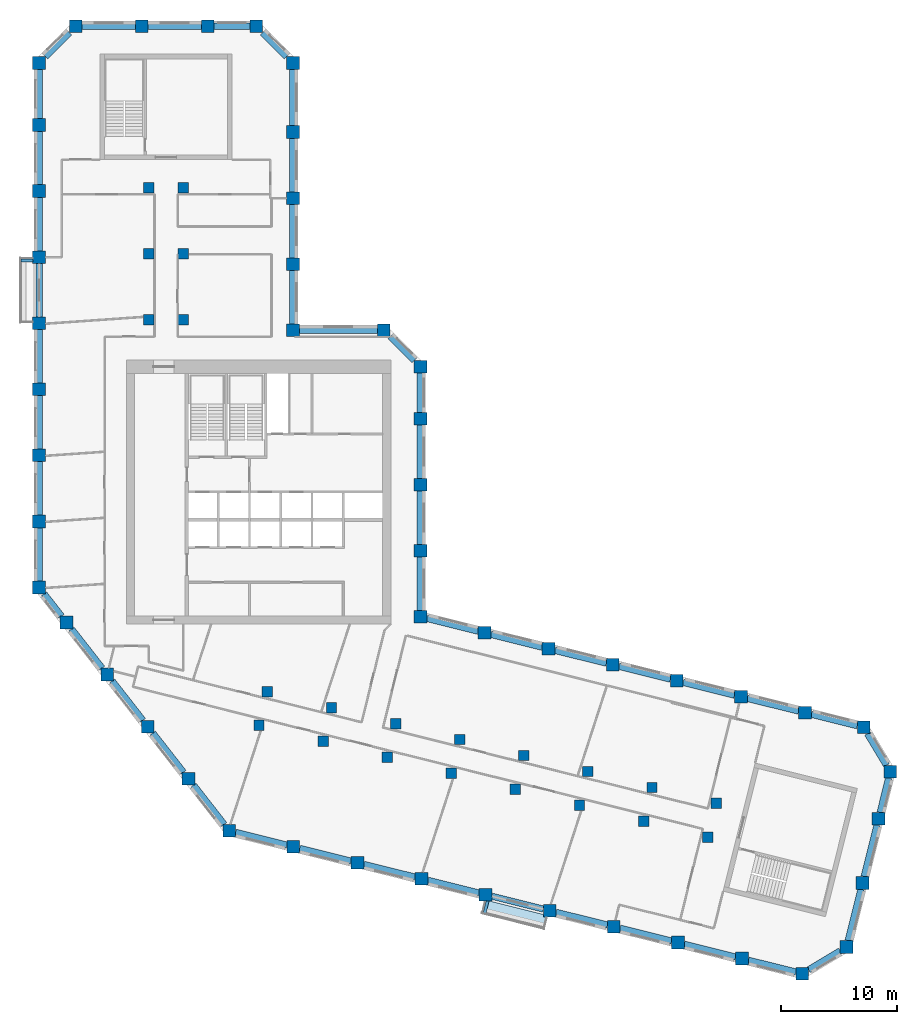
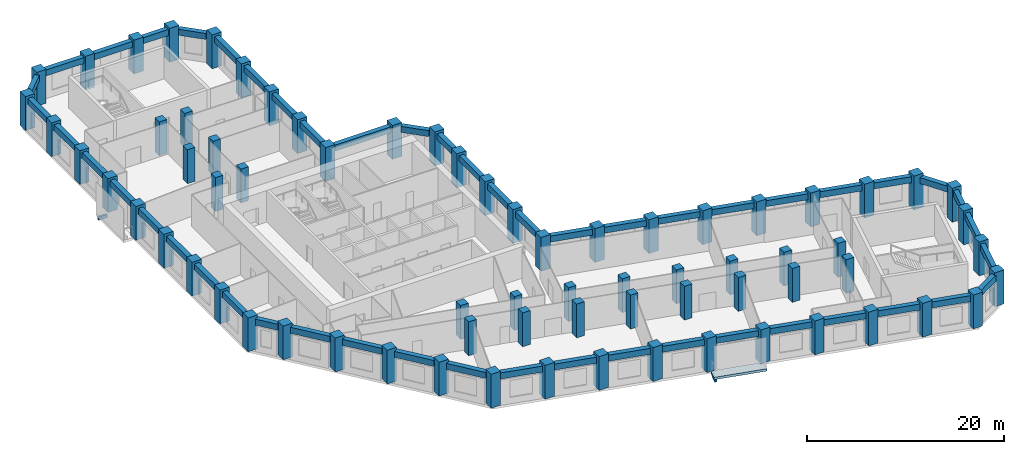
# One storey, part 1 of 10: 71 columns, 51 beams, 1 slab.
"""IFC4 building model written with IfcOpenShell, lengths in metres."""

from ifc_helpers import new_model, si_unit, direction, frame, origin, origin_2d, place, context, subcontext, project, spatial, polyline, rectangle, outline, extrude, material, layer, layer_set, material_profile, profile_set, type_object, element, save


model = new_model("IFC4")

# Units and contexts
model_context = context("Model", 3, precision=1e-05, world=origin(), true_north=direction((0.0, 1.0)))
body_context = subcontext(model_context, "Body", "Model", "MODEL_VIEW")
ifc_project = project(units=[si_unit("LENGTHUNIT", "METRE"), si_unit("AREAUNIT", "SQUARE_METRE"), si_unit("VOLUMEUNIT", "CUBIC_METRE"), si_unit("PLANEANGLEUNIT", "RADIAN"), si_unit("MASSUNIT", "GRAM", prefix="KILO")], contexts=[model_context])

# Site, building, storey
site_placement = place(None, origin())
site = spatial("IfcSite", under=ifc_project, at=site_placement, CompositionType="ELEMENT")
building_placement = place(site_placement, origin())
building = spatial("IfcBuilding", under=site, at=building_placement, Name="Meshkara Civic Tower", CompositionType="ELEMENT")
storey_placement = place(building_placement, frame((0.0, 0.0, 238.199951171875)))
storey = spatial("IfcBuildingStorey", under=building, at=storey_placement, Name="L54", CompositionType="ELEMENT", Elevation=238.199951171875)

# Columns
ifc_material_1 = material(Name="Concrete C60", Category="concrete")
ifc_material_profile_1 = material_profile(ifc_material_1, rectangle(XDim=0.89990234375, YDim=0.89990234375, at=origin_2d()))
ifc_profile_set_1 = profile_set([ifc_material_profile_1], Name="Concrete C60")
column_type_1 = type_object("IfcColumnType", Name="Interior column RC 900x900 C60", PredefinedType="COLUMN", material=ifc_profile_set_1)
for number, where, z_axis, x_axis, name in (
    (1, (9.89990234375, 40.35009765625, 0.0), (0.0, 0.0, 1.0), (1.0, 0.0, 0.0), "Column SA1-04 L54"),
    (2, (9.89990234375, 46.050048828125, 0.0), (0.0, 0.0, 1.0), (1.0, 0.0, 0.0), "Column SA1-05 L54"),
    (3, (9.89990234375, 51.75, 0.0), (0.0, 0.0, 1.0), (1.0, 0.0, 0.0), "Column SA1-06 L54"),
    (4, (12.89990234375, 40.35009765625, 0.0), (0.0, 0.0, 1.0), (1.0, 0.0, 0.0), "Column SA2-04 L54"),
    (5, (12.89990234375, 46.050048828125, 0.0), (0.0, 0.0, 1.0), (1.0, 0.0, 0.0), "Column SA2-05 L54"),
    (6, (12.89990234375, 51.75, 0.0), (0.0, 0.0, 1.0), (1.0, 0.0, 0.0), "Column SA2-06 L54"),
    (7, (19.424072265625, 5.360107421875, 0.0), (0.0, 0.0, 1.0), (1.0, 0.0, 0.0), "Column SB1-00 L54"),
    (8, (24.9541015625, 3.98095703125, 0.0), (0.0, 0.0, 1.0), (1.0, 0.0, 0.0), "Column SB1-01 L54"),
    (9, (30.485107421875, 2.60205078125, 0.0), (0.0, 0.0, 1.0), (1.0, 0.0, 0.0), "Column SB1-02 L54"),
    (10, (36.01611328125, 1.222900390625, 0.0), (0.0, 0.0, 1.0), (1.0, 0.0, 0.0), "Column SB1-03 L54"),
    (11, (41.5458984375, -0.156005859375, 0.0), (0.0, 0.0, 1.0), (1.0, 0.0, 0.0), "Column SB1-04 L54"),
    (12, (47.076904296875, -1.534912109375, 0.0), (0.0, 0.0, 1.0), (1.0, 0.0, 0.0), "Column SB1-05 L54"),
    (13, (52.60791015625, -2.9140625, 0.0), (0.0, 0.0, 1.0), (1.0, 0.0, 0.0), "Column SB1-06 L54"),
    (14, (58.138916015625, -4.2919921875, 0.0), (0.0, 0.0, 1.0), (1.0, 0.0, 0.0), "Column SB1-07 L54"),
    (15, (20.14892578125, 8.27099609375, 0.0), (0.0, 0.0, 1.0), (1.0, 0.0, 0.0), "Column SB2-00 L54"),
    (16, (25.679931640625, 6.89208984375, 0.0), (0.0, 0.0, 1.0), (1.0, 0.0, 0.0), "Column SB2-01 L54"),
    (17, (31.2109375, 5.512939453125, 0.0), (0.0, 0.0, 1.0), (1.0, 0.0, 0.0), "Column SB2-02 L54"),
    (18, (36.741943359375, 4.134033203125, 0.0), (0.0, 0.0, 1.0), (1.0, 0.0, 0.0), "Column SB2-03 L54"),
    (19, (42.27197265625, 2.7548828125, 0.0), (0.0, 0.0, 1.0), (1.0, 0.0, 0.0), "Column SB2-04 L54"),
    (20, (47.802978515625, 1.3759765625, 0.0), (0.0, 0.0, 1.0), (1.0, 0.0, 0.0), "Column SB2-05 L54"),
    (21, (53.333984375, -0.0029296875, 0.0), (0.0, 0.0, 1.0), (1.0, 0.0, 0.0), "Column SB2-06 L54"),
    (22, (58.864013671875, -1.382080078125, 0.0), (0.0, 0.0, 1.0), (1.0, 0.0, 0.0), "Column SB2-07 L54"),
):
    element("IfcColumn", number, at=place(storey_placement, frame(where, z_axis=z_axis, x_axis=x_axis)), inside=storey, type_object=column_type_1, Name=name, PredefinedType="COLUMN", context=body_context, shape_type="SweptSolid", body=[
        extrude(rectangle(XDim=0.89990234375, YDim=0.89990234375, at=origin_2d()), origin(), (0.0, 0.0, 1.0), 4.199951171875),
    ])
ifc_material_2 = material(Name="Concrete C60", Category="concrete")
ifc_material_profile_2 = material_profile(ifc_material_2, rectangle(XDim=1.10009765625, YDim=1.10009765625, at=origin_2d()))
ifc_profile_set_2 = profile_set([ifc_material_profile_2], Name="Concrete C60")
column_type_2 = type_object("IfcColumnType", Name="Perimeter column RC 1100x1100 C60", PredefinedType="COLUMN", material=ifc_profile_set_2)
for number, where, z_axis, x_axis, name in (
    (23, (33.35009765625, 14.718994140625, 0.0), (0.0, 0.0, 1.0), (1.0, 0.0, 0.0), "Column HE00 L54"),
    (24, (33.35009765625, 20.4189453125, 0.0), (0.0, 0.0, 1.0), (1.0, 0.0, 0.0), "Column HE01 L54"),
    (25, (33.35009765625, 26.118896484375, 0.0), (0.0, 0.0, 1.0), (1.0, 0.0, 0.0), "Column HE02 L54"),
    (26, (33.35009765625, 31.819091796875, 0.0), (0.0, 0.0, 1.0), (1.0, 0.0, 0.0), "Column HE03 L54"),
    (27, (33.35009765625, 36.2939453125, 0.0), (0.0, 0.0, 1.0), (1.0, 0.0, 0.0), "Column HEE L54"),
    (28, (30.194091796875, 39.449951171875, 0.0), (0.0, 0.0, 1.0), (1.0, 0.0, 0.0), "Column HCeE L54"),
    (29, (22.35009765625, 39.449951171875, 0.0), (0.0, 0.0, 1.0), (1.0, 0.0, 0.0), "Column HN00 L54"),
    (30, (22.35009765625, 45.14990234375, 0.0), (0.0, 0.0, 1.0), (1.0, 0.0, 0.0), "Column AE01 L54"),
    (31, (22.35009765625, 50.85009765625, 0.0), (0.0, 0.0, 1.0), (1.0, 0.0, 0.0), "Column AE02 L54"),
    (32, (22.35009765625, 56.550048828125, 0.0), (0.0, 0.0, 1.0), (1.0, 0.0, 0.0), "Column AE03 L54"),
    (33, (22.35009765625, 62.513916015625, 0.0), (0.0, 0.0, 1.0), (1.0, 0.0, 0.0), "Column AEEP3 L54"),
    (34, (19.194091796875, 65.669921875, 0.0), (0.0, 0.0, 1.0), (1.0, 0.0, 0.0), "Column ATiEP3 L54"),
    (35, (3.60595703125, 65.669921875, 0.0), (0.0, 0.0, 1.0), (1.0, 0.0, 0.0), "Column AT00-P3 L54"),
    (36, (9.305908203125, 65.669921875, 0.0), (0.0, 0.0, 1.0), (1.0, 0.0, 0.0), "Column AT01-P3 L54"),
    (37, (15.006103515625, 65.669921875, 0.0), (0.0, 0.0, 1.0), (1.0, 0.0, 0.0), "Column AT02-P3 L54"),
    (38, (0.449951171875, 62.513916015625, 0.0), (0.0, 0.0, 1.0), (1.0, 0.0, 0.0), "Column ATo00-P3 L54"),
    (39, (0.449951171875, 17.2548828125, 0.0), (0.0, 0.0, 1.0), (1.0, 0.0, 0.0), "Column AW00 L54"),
    (40, (0.449951171875, 22.955078125, 0.0), (0.0, 0.0, 1.0), (1.0, 0.0, 0.0), "Column AW01 L54"),
    (41, (0.449951171875, 28.655029296875, 0.0), (0.0, 0.0, 1.0), (1.0, 0.0, 0.0), "Column AW02 L54"),
    (42, (0.449951171875, 34.35498046875, 0.0), (0.0, 0.0, 1.0), (1.0, 0.0, 0.0), "Column AW03 L54"),
    (43, (0.449951171875, 40.054931640625, 0.0), (0.0, 0.0, 1.0), (1.0, 0.0, 0.0), "Column AW04 L54"),
    (44, (0.449951171875, 45.7548828125, 0.0), (0.0, 0.0, 1.0), (1.0, 0.0, 0.0), "Column AW05 L54"),
    (45, (0.449951171875, 51.455078125, 0.0), (0.0, 0.0, 1.0), (1.0, 0.0, 0.0), "Column AW06 L54"),
    (46, (0.449951171875, 57.155029296875, 0.0), (0.0, 0.0, 1.0), (1.0, 0.0, 0.0), "Column AW07 L54"),
    (47, (16.85107421875, -3.738037109375, 0.0), (0.0, 0.0, 1.0), (1.0, 0.0, 0.0), "Column BOW00 L54"),
    (48, (13.342041015625, 0.75390625, 0.0), (0.0, 0.0, 1.0), (1.0, 0.0, 0.0), "Column BOW01 L54"),
    (49, (9.8330078125, 5.2451171875, 0.0), (0.0, 0.0, 1.0), (1.0, 0.0, 0.0), "Column BOW02 L54"),
    (50, (6.322998046875, 9.737060546875, 0.0), (0.0, 0.0, 1.0), (1.0, 0.0, 0.0), "Column BOW03 L54"),
    (51, (2.81396484375, 14.22900390625, 0.0), (0.0, 0.0, 1.0), (1.0, 0.0, 0.0), "Column BOW04 L54"),
    (52, (22.382080078125, -5.116943359375, 0.0), (0.0, 0.0, 1.0), (1.0, 0.0, 0.0), "Column BS01 L54"),
    (53, (27.912109375, -6.49609375, 0.0), (0.0, 0.0, 1.0), (1.0, 0.0, 0.0), "Column BS02 L54"),
    (54, (33.443115234375, -7.875, 0.0), (0.0, 0.0, 1.0), (1.0, 0.0, 0.0), "Column BS03 L54"),
    (55, (38.97412109375, -9.2529296875, 0.0), (0.0, 0.0, 1.0), (1.0, 0.0, 0.0), "Column BS04-P1 L54"),
    (56, (44.5048828125, -10.632080078125, 0.0), (0.0, 0.0, 1.0), (1.0, 0.0, 0.0), "Column BS05 L54"),
    (57, (50.034912109375, -12.010986328125, 0.0), (0.0, 0.0, 1.0), (1.0, 0.0, 0.0), "Column BS06 L54"),
    (58, (55.56591796875, -13.389892578125, 0.0), (0.0, 0.0, 1.0), (1.0, 0.0, 0.0), "Column BS07 L54"),
    (59, (61.096923828125, -14.76904296875, 0.0), (0.0, 0.0, 1.0), (1.0, 0.0, 0.0), "Column BS08 L54"),
    (60, (66.2958984375, -16.06494140625, 0.0), (0.0, 0.0, 1.0), (1.0, 0.0, 0.0), "Column BSEP3 L54"),
    (61, (70.1220703125, -13.76611328125, 0.0), (0.0, 0.0, 1.0), (1.0, 0.0, 0.0), "Column BToEP3 L54"),
    (62, (71.5009765625, -8.235107421875, 0.0), (0.0, 0.0, 1.0), (1.0, 0.0, 0.0), "Column BT01-P3 L54"),
    (63, (72.8798828125, -2.705078125, 0.0), (0.0, 0.0, 1.0), (1.0, 0.0, 0.0), "Column BT02-P3 L54"),
    (64, (73.89306640625, 1.35791015625, 0.0), (0.0, 0.0, 1.0), (1.0, 0.0, 0.0), "Column BTEP3 L54"),
    (65, (71.593994140625, 5.18310546875, 0.0), (0.0, 0.0, 1.0), (1.0, 0.0, 0.0), "Column BTi00-P3 L54"),
    (66, (38.881103515625, 13.340087890625, 0.0), (0.0, 0.0, 1.0), (1.0, 0.0, 0.0), "Column BN01 L54"),
    (67, (44.410888671875, 11.9609375, 0.0), (0.0, 0.0, 1.0), (1.0, 0.0, 0.0), "Column BN02 L54"),
    (68, (49.94189453125, 10.58203125, 0.0), (0.0, 0.0, 1.0), (1.0, 0.0, 0.0), "Column BN03 L54"),
    (69, (55.472900390625, 9.202880859375, 0.0), (0.0, 0.0, 1.0), (1.0, 0.0, 0.0), "Column BN04 L54"),
    (70, (61.0029296875, 7.823974609375, 0.0), (0.0, 0.0, 1.0), (1.0, 0.0, 0.0), "Column BN05 L54"),
    (71, (66.533935546875, 6.445068359375, 0.0), (0.0, 0.0, 1.0), (1.0, 0.0, 0.0), "Column BN06 L54"),
):
    element("IfcColumn", number, at=place(storey_placement, frame(where, z_axis=z_axis, x_axis=x_axis)), inside=storey, type_object=column_type_2, Name=name, PredefinedType="COLUMN", context=body_context, shape_type="SweptSolid", body=[
        extrude(rectangle(XDim=1.10009765625, YDim=1.10009765625, at=origin_2d()), origin(), (0.0, 0.0, 1.0), 4.199951171875),
    ])

# Beams
ifc_material_3 = material(Name="Concrete C50", Category="concrete")
ifc_material_profile_3 = material_profile(ifc_material_3, rectangle(XDim=0.25, YDim=0.39990234375, at=origin_2d()))
ifc_profile_set_3 = profile_set([ifc_material_profile_3], Name="Concrete C50")
beam_type_1 = type_object("IfcBeamType", Name="Balcony bracket beam RC 250x400 C50", PredefinedType="BEAM", material=ifc_profile_set_3)
beam_1_placement = place(storey_placement, frame((-0.094970703125, 45.455078125, -0.5), z_axis=(-1.0, 0.0, 0.0), x_axis=(0.0, -1.0, 0.0)))
element("IfcBeam", 72, at=beam_1_placement, inside=storey, type_object=beam_type_1, Name="Balcony bracket beam", PredefinedType="BEAM", context=body_context, shape_type="SweptSolid", body=[
    extrude(rectangle(XDim=0.25, YDim=0.39990234375, at=origin_2d()), origin(), (0.0, 0.0, 1.0), 1.005126953125),
])
beam_2_placement = place(storey_placement, frame((39.14697265625, -9.798095703125, -0.5), z_axis=(-0.241725333206, -0.970344713639, 0.0), x_axis=(0.970344713639, -0.241725333206, 0.0)))
element("IfcBeam", 73, at=beam_2_placement, inside=storey, type_object=beam_type_1, Name="Balcony bracket beam", PredefinedType="BEAM", context=body_context, shape_type="SweptSolid", body=[
    extrude(rectangle(XDim=0.25, YDim=0.39990234375, at=origin_2d()), origin(), (0.0, 0.0, 1.0), 1.0634765625),
])
ifc_material_4 = material(Name="Concrete C60", Category="concrete")
ifc_material_profile_4 = material_profile(ifc_material_4, rectangle(XDim=0.550048828125, YDim=0.75, at=origin_2d()))
ifc_profile_set_4 = profile_set([ifc_material_profile_4], Name="Concrete C60")
beam_type_2 = type_object("IfcBeamType", Name="Spandrel beam RC 550x750 C60", PredefinedType="BEAM", material=ifc_profile_set_4)
beam_3_placement = place(storey_placement, frame((65.989013671875, 6.580810546875, 3.525146484375), z_axis=(-0.970299186733, 0.241908016044, 0.0), x_axis=(-0.241908016044, -0.970299186733, 0.0)))
element("IfcBeam", 74, at=beam_3_placement, inside=storey, type_object=beam_type_2, Name="Spandrel beam BN05-BN06", PredefinedType="BEAM", context=body_context, shape_type="SweptSolid", body=[
    extrude(rectangle(XDim=0.550048828125, YDim=0.75, at=origin_2d()), origin(), (0.0, 0.0, 1.0), 4.576904296875),
])
beam_4_placement = place(storey_placement, frame((60.4580078125, 7.9599609375, 3.525146484375), z_axis=(-0.970286696562, 0.241958108925, 0.0), x_axis=(-0.241958108925, -0.970286696562, 0.0)))
element("IfcBeam", 75, at=beam_4_placement, inside=storey, type_object=beam_type_2, Name="Spandrel beam BN04-BN05", PredefinedType="BEAM", context=body_context, shape_type="SweptSolid", body=[
    extrude(rectangle(XDim=0.550048828125, YDim=0.75, at=origin_2d()), origin(), (0.0, 0.0, 1.0), 4.575927734375),
])
for number, where, z_axis, x_axis, name in (
    (76, (54.927978515625, 9.3388671875, 3.525146484375), (-0.970299186733, 0.241908016044, 0.0), (-0.241908016044, -0.970299186733, 0.0), "Spandrel beam BN03-BN04"),
    (77, (49.39697265625, 10.718017578125, 3.525146484375), (-0.970299186733, 0.241908016044, 0.0), (-0.241908016044, -0.970299186733, 0.0), "Spandrel beam BN02-BN03"),
):
    element("IfcBeam", number, at=place(storey_placement, frame(where, z_axis=z_axis, x_axis=x_axis)), inside=storey, type_object=beam_type_2, Name=name, PredefinedType="BEAM", context=body_context, shape_type="SweptSolid", body=[
        extrude(rectangle(XDim=0.550048828125, YDim=0.75, at=origin_2d()), origin(), (0.0, 0.0, 1.0), 4.576904296875),
    ])
beam_5_placement = place(storey_placement, frame((43.865966796875, 12.096923828125, 3.525146484375), z_axis=(-0.970286696562, 0.241958108925, 0.0), x_axis=(-0.241958108925, -0.970286696562, 0.0)))
element("IfcBeam", 78, at=beam_5_placement, inside=storey, type_object=beam_type_2, Name="Spandrel beam BN01-BN02", PredefinedType="BEAM", context=body_context, shape_type="SweptSolid", body=[
    extrude(rectangle(XDim=0.550048828125, YDim=0.75, at=origin_2d()), origin(), (0.0, 0.0, 1.0), 4.575927734375),
])
beam_6_placement = place(storey_placement, frame((38.3359375, 13.475830078125, 3.525146484375), z_axis=(-0.970299186733, 0.241908016044, 0.0), x_axis=(-0.241908016044, -0.970299186733, 0.0)))
element("IfcBeam", 79, at=beam_6_placement, inside=storey, type_object=beam_type_2, Name="Spandrel beam BN01-HE00", PredefinedType="BEAM", context=body_context, shape_type="SweptSolid", body=[
    extrude(rectangle(XDim=0.550048828125, YDim=0.75, at=origin_2d()), origin(), (0.0, 0.0, 1.0), 4.576904296875),
])
beam_7_placement = place(storey_placement, frame((33.35009765625, 15.263916015625, 3.525146484375), z_axis=(0.0, 1.0, 0.0), x_axis=(-1.0, 0.0, 0.0)))
element("IfcBeam", 80, at=beam_7_placement, inside=storey, type_object=beam_type_2, Name="Spandrel beam HE00-HE01", PredefinedType="BEAM", context=body_context, shape_type="SweptSolid", body=[
    extrude(rectangle(XDim=0.550048828125, YDim=0.75, at=origin_2d()), origin(), (0.0, 0.0, 1.0), 4.610107421875),
])
for number, where, z_axis, x_axis, name in (
    (81, (33.35009765625, 20.964111328125, 3.525146484375), (0.0, 1.0, 0.0), (-1.0, 0.0, 0.0), "Spandrel beam HE01-HE02"),
    (82, (33.35009765625, 26.6640625, 3.525146484375), (0.0, 1.0, 0.0), (-1.0, 0.0, 0.0), "Spandrel beam HE02-HE03"),
):
    element("IfcBeam", number, at=place(storey_placement, frame(where, z_axis=z_axis, x_axis=x_axis)), inside=storey, type_object=beam_type_2, Name=name, PredefinedType="BEAM", context=body_context, shape_type="SweptSolid", body=[
        extrude(rectangle(XDim=0.550048828125, YDim=0.75, at=origin_2d()), origin(), (0.0, 0.0, 1.0), 4.60986328125),
    ])
beam_8_placement = place(storey_placement, frame((33.35009765625, 32.364013671875, 3.525146484375), z_axis=(0.0, 1.0, 0.0), x_axis=(-1.0, 0.0, 0.0)))
element("IfcBeam", 83, at=beam_8_placement, inside=storey, type_object=beam_type_2, Name="Spandrel beam HE03-HEE", PredefinedType="BEAM", context=body_context, shape_type="SweptSolid", body=[
    extrude(rectangle(XDim=0.550048828125, YDim=0.75, at=origin_2d()), origin(), (0.0, 0.0, 1.0), 3.385009765625),
])
beam_9_placement = place(storey_placement, frame((32.803466796875, 36.840576171875, 3.525146484375), z_axis=(-0.707106781187, 0.707106781187, 0.0), x_axis=(-0.707106781187, -0.707106781187, 0.0)))
element("IfcBeam", 84, at=beam_9_placement, inside=storey, type_object=beam_type_2, Name="Spandrel beam HCeE-HEE", PredefinedType="BEAM", context=body_context, shape_type="SweptSolid", body=[
    extrude(rectangle(XDim=0.550048828125, YDim=0.75, at=origin_2d()), origin(), (0.0, 0.0, 1.0), 2.91748046875),
])
beam_10_placement = place(storey_placement, frame((29.64892578125, 39.449951171875, 3.525146484375), z_axis=(-1.0, 0.0, 0.0), x_axis=(0.0, -1.0, 0.0)))
element("IfcBeam", 85, at=beam_10_placement, inside=storey, type_object=beam_type_2, Name="Spandrel beam HCeE-HN00", PredefinedType="BEAM", context=body_context, shape_type="SweptSolid", body=[
    extrude(rectangle(XDim=0.550048828125, YDim=0.75, at=origin_2d()), origin(), (0.0, 0.0, 1.0), 6.75390625),
])
for number, where, z_axis, x_axis, name in (
    (86, (22.35009765625, 39.9951171875, 3.525146484375), (0.0, 1.0, 0.0), (-1.0, 0.0, 0.0), "Spandrel beam AE01-HN00"),
    (87, (22.35009765625, 45.695068359375, 3.525146484375), (0.0, 1.0, 0.0), (-1.0, 0.0, 0.0), "Spandrel beam AE01-AE02"),
    (88, (22.35009765625, 51.39501953125, 3.525146484375), (0.0, 1.0, 0.0), (-1.0, 0.0, 0.0), "Spandrel beam AE02-AE03"),
):
    element("IfcBeam", number, at=place(storey_placement, frame(where, z_axis=z_axis, x_axis=x_axis)), inside=storey, type_object=beam_type_2, Name=name, PredefinedType="BEAM", context=body_context, shape_type="SweptSolid", body=[
        extrude(rectangle(XDim=0.550048828125, YDim=0.75, at=origin_2d()), origin(), (0.0, 0.0, 1.0), 4.60986328125),
    ])
beam_11_placement = place(storey_placement, frame((22.35009765625, 57.094970703125, 3.525146484375), z_axis=(0.0, 1.0, 0.0), x_axis=(-1.0, 0.0, 0.0)))
element("IfcBeam", 89, at=beam_11_placement, inside=storey, type_object=beam_type_2, Name="Spandrel beam AE03-AEEP3", PredefinedType="BEAM", context=body_context, shape_type="SweptSolid", body=[
    extrude(rectangle(XDim=0.550048828125, YDim=0.75, at=origin_2d()), origin(), (0.0, 0.0, 1.0), 4.8740234375),
])
beam_12_placement = place(storey_placement, frame((21.803466796875, 63.060546875, 3.525146484375), z_axis=(-0.707106781187, 0.707106781187, 0.0), x_axis=(-0.707106781187, -0.707106781187, 0.0)))
element("IfcBeam", 90, at=beam_12_placement, inside=storey, type_object=beam_type_2, Name="Spandrel beam AEEP3-ATiEP3", PredefinedType="BEAM", context=body_context, shape_type="SweptSolid", body=[
    extrude(rectangle(XDim=0.550048828125, YDim=0.75, at=origin_2d()), origin(), (0.0, 0.0, 1.0), 2.91748046875),
])
beam_13_placement = place(storey_placement, frame((18.64892578125, 65.669921875, 3.525146484375), z_axis=(-1.0, 0.0, 0.0), x_axis=(0.0, -1.0, 0.0)))
element("IfcBeam", 91, at=beam_13_placement, inside=storey, type_object=beam_type_2, Name="Spandrel beam AT02-P3-ATiEP3", PredefinedType="BEAM", context=body_context, shape_type="SweptSolid", body=[
    extrude(rectangle(XDim=0.550048828125, YDim=0.75, at=origin_2d()), origin(), (0.0, 0.0, 1.0), 3.097900390625),
])
beam_14_placement = place(storey_placement, frame((14.4609375, 65.669921875, 3.525146484375), z_axis=(-1.0, 0.0, 0.0), x_axis=(0.0, -1.0, 0.0)))
element("IfcBeam", 92, at=beam_14_placement, inside=storey, type_object=beam_type_2, Name="Spandrel beam AT01-P3-AT02-P3", PredefinedType="BEAM", context=body_context, shape_type="SweptSolid", body=[
    extrude(rectangle(XDim=0.550048828125, YDim=0.75, at=origin_2d()), origin(), (0.0, 0.0, 1.0), 4.60986328125),
])
beam_15_placement = place(storey_placement, frame((8.760986328125, 65.669921875, 3.525146484375), z_axis=(-1.0, 0.0, 0.0), x_axis=(0.0, -1.0, 0.0)))
element("IfcBeam", 93, at=beam_15_placement, inside=storey, type_object=beam_type_2, Name="Spandrel beam AT00-P3-AT01-P3", PredefinedType="BEAM", context=body_context, shape_type="SweptSolid", body=[
    extrude(rectangle(XDim=0.550048828125, YDim=0.75, at=origin_2d()), origin(), (0.0, 0.0, 1.0), 4.610107421875),
])
beam_16_placement = place(storey_placement, frame((3.0595703125, 65.12353515625, 3.525146484375), z_axis=(-0.707106781187, -0.707106781187, 0.0), x_axis=(0.707106781187, -0.707106781187, 0.0)))
element("IfcBeam", 94, at=beam_16_placement, inside=storey, type_object=beam_type_2, Name="Spandrel beam AT00-P3-ATo00-P3", PredefinedType="BEAM", context=body_context, shape_type="SweptSolid", body=[
    extrude(rectangle(XDim=0.550048828125, YDim=0.75, at=origin_2d()), origin(), (0.0, 0.0, 1.0), 2.91748046875),
])
beam_17_placement = place(storey_placement, frame((0.449951171875, 61.968994140625, 3.525146484375), z_axis=(0.0, -1.0, 0.0), x_axis=(1.0, 0.0, 0.0)))
element("IfcBeam", 95, at=beam_17_placement, inside=storey, type_object=beam_type_2, Name="Spandrel beam ATo00-P3-AW07", PredefinedType="BEAM", context=body_context, shape_type="SweptSolid", body=[
    extrude(rectangle(XDim=0.550048828125, YDim=0.75, at=origin_2d()), origin(), (0.0, 0.0, 1.0), 4.26904296875),
])
beam_18_placement = place(storey_placement, frame((0.449951171875, 56.610107421875, 3.525146484375), z_axis=(0.0, -1.0, 0.0), x_axis=(1.0, 0.0, 0.0)))
element("IfcBeam", 96, at=beam_18_placement, inside=storey, type_object=beam_type_2, Name="Spandrel beam AW06-AW07", PredefinedType="BEAM", context=body_context, shape_type="SweptSolid", body=[
    extrude(rectangle(XDim=0.550048828125, YDim=0.75, at=origin_2d()), origin(), (0.0, 0.0, 1.0), 4.610107421875),
])
for number, where, z_axis, x_axis, name in (
    (97, (0.449951171875, 50.909912109375, 3.525146484375), (0.0, -1.0, 0.0), (1.0, 0.0, 0.0), "Spandrel beam AW05-AW06"),
    (98, (0.449951171875, 45.2099609375, 3.525146484375), (0.0, -1.0, 0.0), (1.0, 0.0, 0.0), "Spandrel beam AW04-AW05"),
):
    element("IfcBeam", number, at=place(storey_placement, frame(where, z_axis=z_axis, x_axis=x_axis)), inside=storey, type_object=beam_type_2, Name=name, PredefinedType="BEAM", context=body_context, shape_type="SweptSolid", body=[
        extrude(rectangle(XDim=0.550048828125, YDim=0.75, at=origin_2d()), origin(), (0.0, 0.0, 1.0), 4.60986328125),
    ])
for number, where, z_axis, x_axis, name in (
    (99, (0.449951171875, 39.510009765625, 3.525146484375), (0.0, -1.0, 0.0), (1.0, 0.0, 0.0), "Spandrel beam AW03-AW04"),
    (100, (0.449951171875, 33.81005859375, 3.525146484375), (0.0, -1.0, 0.0), (1.0, 0.0, 0.0), "Spandrel beam AW02-AW03"),
    (101, (0.449951171875, 28.110107421875, 3.525146484375), (0.0, -1.0, 0.0), (1.0, 0.0, 0.0), "Spandrel beam AW01-AW02"),
):
    element("IfcBeam", number, at=place(storey_placement, frame(where, z_axis=z_axis, x_axis=x_axis)), inside=storey, type_object=beam_type_2, Name=name, PredefinedType="BEAM", context=body_context, shape_type="SweptSolid", body=[
        extrude(rectangle(XDim=0.550048828125, YDim=0.75, at=origin_2d()), origin(), (0.0, 0.0, 1.0), 4.610107421875),
    ])
beam_19_placement = place(storey_placement, frame((0.449951171875, 22.409912109375, 3.525146484375), z_axis=(0.0, -1.0, 0.0), x_axis=(1.0, 0.0, 0.0)))
element("IfcBeam", 102, at=beam_19_placement, inside=storey, type_object=beam_type_2, Name="Spandrel beam AW00-AW01", PredefinedType="BEAM", context=body_context, shape_type="SweptSolid", body=[
    extrude(rectangle(XDim=0.550048828125, YDim=0.75, at=origin_2d()), origin(), (0.0, 0.0, 1.0), 4.60986328125),
])
beam_20_placement = place(storey_placement, frame((0.876708984375, 16.708984375, 3.525146484375), z_axis=(0.615626666257, -0.788037948194, 0.0), x_axis=(0.788037948194, 0.615626666257, 0.0)))
element("IfcBeam", 103, at=beam_20_placement, inside=storey, type_object=beam_type_2, Name="Spandrel beam AW00-BOW04", PredefinedType="BEAM", context=body_context, shape_type="SweptSolid", body=[
    extrude(rectangle(XDim=0.550048828125, YDim=0.75, at=origin_2d()), origin(), (0.0, 0.0, 1.0), 2.4541015625),
])
beam_21_placement = place(storey_placement, frame((3.240478515625, 13.682861328125, 3.525146484375), z_axis=(0.615647336498, -0.788021799865, 0.0), x_axis=(0.788021799865, 0.615647336498, 0.0)))
element("IfcBeam", 104, at=beam_21_placement, inside=storey, type_object=beam_type_2, Name="Spandrel beam BOW03-BOW04", PredefinedType="BEAM", context=body_context, shape_type="SweptSolid", body=[
    extrude(rectangle(XDim=0.550048828125, YDim=0.75, at=origin_2d()), origin(), (0.0, 0.0, 1.0), 4.314208984375),
])
beam_22_placement = place(storey_placement, frame((6.749755859375, 9.19091796875, 3.525146484375), z_axis=(0.615690159083, -0.787988342559, 0.0), x_axis=(0.787988342559, 0.615690159083, 0.0)))
element("IfcBeam", 105, at=beam_22_placement, inside=storey, type_object=beam_type_2, Name="Spandrel beam BOW02-BOW03", PredefinedType="BEAM", context=body_context, shape_type="SweptSolid", body=[
    extrude(rectangle(XDim=0.550048828125, YDim=0.75, at=origin_2d()), origin(), (0.0, 0.0, 1.0), 4.314697265625),
])
beam_23_placement = place(storey_placement, frame((10.259765625, 4.698974609375, 3.525146484375), z_axis=(0.615659419462, -0.788012359819, 0.0), x_axis=(0.788012359819, 0.615659419462, 0.0)))
element("IfcBeam", 106, at=beam_23_placement, inside=storey, type_object=beam_type_2, Name="Spandrel beam BOW01-BOW02", PredefinedType="BEAM", context=body_context, shape_type="SweptSolid", body=[
    extrude(rectangle(XDim=0.550048828125, YDim=0.75, at=origin_2d()), origin(), (0.0, 0.0, 1.0), 4.313232421875),
])
beam_24_placement = place(storey_placement, frame((13.7685546875, 0.2080078125, 3.525146484375), z_axis=(0.615584739249, -0.788070700384, 0.0), x_axis=(0.788070700384, 0.615584739249, 0.0)))
element("IfcBeam", 107, at=beam_24_placement, inside=storey, type_object=beam_type_2, Name="Spandrel beam BOW00-BOW01", PredefinedType="BEAM", context=body_context, shape_type="SweptSolid", body=[
    extrude(rectangle(XDim=0.550048828125, YDim=0.75, at=origin_2d()), origin(), (0.0, 0.0, 1.0), 4.314208984375),
])
beam_25_placement = place(storey_placement, frame((17.39599609375, -3.873779296875, 3.525146484375), z_axis=(0.970286664886, -0.24195823595, 0.0), x_axis=(0.24195823595, 0.970286664886, 0.0)))
element("IfcBeam", 108, at=beam_25_placement, inside=storey, type_object=beam_type_2, Name="Spandrel beam BOW00-BS01", PredefinedType="BEAM", context=body_context, shape_type="SweptSolid", body=[
    extrude(rectangle(XDim=0.550048828125, YDim=0.75, at=origin_2d()), origin(), (0.0, 0.0, 1.0), 4.576904296875),
])
beam_26_placement = place(storey_placement, frame((22.927001953125, -5.2529296875, 3.525146484375), z_axis=(0.970286696562, -0.241958108925, 0.0), x_axis=(0.241958108925, 0.970286696562, 0.0)))
element("IfcBeam", 109, at=beam_26_placement, inside=storey, type_object=beam_type_2, Name="Spandrel beam BS01-BS02", PredefinedType="BEAM", context=body_context, shape_type="SweptSolid", body=[
    extrude(rectangle(XDim=0.550048828125, YDim=0.75, at=origin_2d()), origin(), (0.0, 0.0, 1.0), 4.575927734375),
])
beam_27_placement = place(storey_placement, frame((28.45703125, -6.6318359375, 3.525146484375), z_axis=(0.970299186733, -0.241908016044, 0.0), x_axis=(0.241908016044, 0.970299186733, 0.0)))
element("IfcBeam", 110, at=beam_27_placement, inside=storey, type_object=beam_type_2, Name="Spandrel beam BS02-BS03", PredefinedType="BEAM", context=body_context, shape_type="SweptSolid", body=[
    extrude(rectangle(XDim=0.550048828125, YDim=0.75, at=origin_2d()), origin(), (0.0, 0.0, 1.0), 4.576904296875),
])
beam_28_placement = place(storey_placement, frame((33.988037109375, -8.0107421875, 3.525146484375), z_axis=(0.970336738613, -0.241757344662, 0.0), x_axis=(0.241757344662, 0.970336738613, 0.0)))
element("IfcBeam", 111, at=beam_28_placement, inside=storey, type_object=beam_type_2, Name="Spandrel beam BS03-BS04-P1", PredefinedType="BEAM", context=body_context, shape_type="SweptSolid", body=[
    extrude(rectangle(XDim=0.550048828125, YDim=0.75, at=origin_2d()), origin(), (0.0, 0.0, 1.0), 4.57666015625),
])
beam_29_placement = place(storey_placement, frame((39.51904296875, -9.388916015625, 3.525146484375), z_axis=(0.970299186733, -0.241908016044, 0.0), x_axis=(0.241908016044, 0.970299186733, 0.0)))
element("IfcBeam", 112, at=beam_29_placement, inside=storey, type_object=beam_type_2, Name="Spandrel beam BS04-P1-BS05", PredefinedType="BEAM", context=body_context, shape_type="SweptSolid", body=[
    extrude(rectangle(XDim=0.550048828125, YDim=0.75, at=origin_2d()), origin(), (0.0, 0.0, 1.0), 4.576904296875),
])
beam_30_placement = place(storey_placement, frame((45.050048828125, -10.767822265625, 3.525146484375), z_axis=(0.970286696562, -0.241958108925, 0.0), x_axis=(0.241958108925, 0.970286696562, 0.0)))
element("IfcBeam", 113, at=beam_30_placement, inside=storey, type_object=beam_type_2, Name="Spandrel beam BS05-BS06", PredefinedType="BEAM", context=body_context, shape_type="SweptSolid", body=[
    extrude(rectangle(XDim=0.550048828125, YDim=0.75, at=origin_2d()), origin(), (0.0, 0.0, 1.0), 4.575927734375),
])
for number, where, z_axis, x_axis, name in (
    (114, (50.580078125, -12.14697265625, 3.525146484375), (0.970299186733, -0.241908016044, 0.0), (0.241908016044, 0.970299186733, 0.0), "Spandrel beam BS06-BS07"),
    (115, (56.111083984375, -13.52587890625, 3.525146484375), (0.970299186733, -0.241908016044, 0.0), (0.241908016044, 0.970299186733, 0.0), "Spandrel beam BS07-BS08"),
):
    element("IfcBeam", number, at=place(storey_placement, frame(where, z_axis=z_axis, x_axis=x_axis)), inside=storey, type_object=beam_type_2, Name=name, PredefinedType="BEAM", context=body_context, shape_type="SweptSolid", body=[
        extrude(rectangle(XDim=0.550048828125, YDim=0.75, at=origin_2d()), origin(), (0.0, 0.0, 1.0), 4.576904296875),
    ])
beam_31_placement = place(storey_placement, frame((61.64208984375, -14.90478515625, 3.525146484375), z_axis=(0.970298301424, -0.24191156701, 0.0), x_axis=(0.24191156701, 0.970298301424, 0.0)))
element("IfcBeam", 116, at=beam_31_placement, inside=storey, type_object=beam_type_2, Name="Spandrel beam BS08-BSEP3", PredefinedType="BEAM", context=body_context, shape_type="SweptSolid", body=[
    extrude(rectangle(XDim=0.550048828125, YDim=0.75, at=origin_2d()), origin(), (0.0, 0.0, 1.0), 4.234619140625),
])
beam_32_placement = place(storey_placement, frame((66.841796875, -15.737060546875, 3.525146484375), z_axis=(0.857175401914, 0.51502459199, 0.0), x_axis=(-0.51502459199, 0.857175401914, 0.0)))
element("IfcBeam", 117, at=beam_32_placement, inside=storey, type_object=beam_type_2, Name="Spandrel beam BSEP3-BToEP3", PredefinedType="BEAM", context=body_context, shape_type="SweptSolid", body=[
    extrude(rectangle(XDim=0.550048828125, YDim=0.75, at=origin_2d()), origin(), (0.0, 0.0, 1.0), 3.190185546875),
])
beam_33_placement = place(storey_placement, frame((70.2578125, -13.220947265625, 3.525146484375), z_axis=(0.241908016044, 0.970299186733, 0.0), x_axis=(-0.970299186733, 0.241908016044, 0.0)))
element("IfcBeam", 118, at=beam_33_placement, inside=storey, type_object=beam_type_2, Name="Spandrel beam BT01-P3-BToEP3", PredefinedType="BEAM", context=body_context, shape_type="SweptSolid", body=[
    extrude(rectangle(XDim=0.550048828125, YDim=0.75, at=origin_2d()), origin(), (0.0, 0.0, 1.0), 4.576904296875),
])
beam_34_placement = place(storey_placement, frame((71.636962890625, -7.68994140625, 3.525146484375), z_axis=(0.241958108925, 0.970286696562, 0.0), x_axis=(-0.970286696562, 0.241958108925, 0.0)))
element("IfcBeam", 119, at=beam_34_placement, inside=storey, type_object=beam_type_2, Name="Spandrel beam BT01-P3-BT02-P3", PredefinedType="BEAM", context=body_context, shape_type="SweptSolid", body=[
    extrude(rectangle(XDim=0.550048828125, YDim=0.75, at=origin_2d()), origin(), (0.0, 0.0, 1.0), 4.575927734375),
])
beam_35_placement = place(storey_placement, frame((73.015869140625, -2.159912109375, 3.525146484375), z_axis=(0.24191686251, 0.970296981152, 0.0), x_axis=(-0.970296981152, 0.24191686251, 0.0)))
element("IfcBeam", 120, at=beam_35_placement, inside=storey, type_object=beam_type_2, Name="Spandrel beam BT02-P3-BTEP3", PredefinedType="BEAM", context=body_context, shape_type="SweptSolid", body=[
    extrude(rectangle(XDim=0.550048828125, YDim=0.75, at=origin_2d()), origin(), (0.0, 0.0, 1.0), 3.06396484375),
])
beam_36_placement = place(storey_placement, frame((73.56494140625, 1.90380859375, 3.525146484375), z_axis=(-0.515137320802, 0.857107659934, 0.0), x_axis=(-0.857107659934, -0.515137320802, 0.0)))
element("IfcBeam", 121, at=beam_36_placement, inside=storey, type_object=beam_type_2, Name="Spandrel beam BTEP3-BTi00-P3", PredefinedType="BEAM", context=body_context, shape_type="SweptSolid", body=[
    extrude(rectangle(XDim=0.550048828125, YDim=0.75, at=origin_2d()), origin(), (0.0, 0.0, 1.0), 3.189208984375),
])
beam_37_placement = place(storey_placement, frame((71.048828125, 5.319091796875, 3.525146484375), z_axis=(-0.970282744603, 0.241973956296, 0.0), x_axis=(-0.241973956296, -0.970282744603, 0.0)))
element("IfcBeam", 122, at=beam_37_placement, inside=storey, type_object=beam_type_2, Name="Spandrel beam BN06-BTi00-P3", PredefinedType="BEAM", context=body_context, shape_type="SweptSolid", body=[
    extrude(rectangle(XDim=0.550048828125, YDim=0.75, at=origin_2d()), origin(), (0.0, 0.0, 1.0), 4.09130859375),
])

# Slab
ifc_material_5 = material(Name="Concrete C40", Category="concrete")
ifc_layer = layer(ifc_material_5, 0.300048828125)
ifc_layer_set = layer_set([ifc_layer], Name="BALCONY SLAB")
slab_type = type_object("IfcSlabType", Name="BALCONY SLAB", PredefinedType="FLOOR", material=ifc_layer_set)
slab_placement = place(storey_placement, frame((0.0, 0.0, -0.300048828125)))
element("IfcSlab", 123, at=slab_placement, inside=storey, type_object=slab_type, Name="Balcony slab", PredefinedType="FLOOR", context=body_context, shape_type="SweptSolid", body=[
    extrude(outline(polyline([(44.048095703125, -12.218994140625), (38.633056640625, -10.868896484375), (38.89892578125, -9.802978515625), (39.318115234375, -9.802978515625), (43.955078125, -10.958984375), (43.955078125, -11.181884765625), (44.305908203125, -11.181884765625), (44.048095703125, -12.218994140625)])), origin(), (0.0, 0.0, 1.0), 0.300048828125),
])

save(model, "model.ifc")
